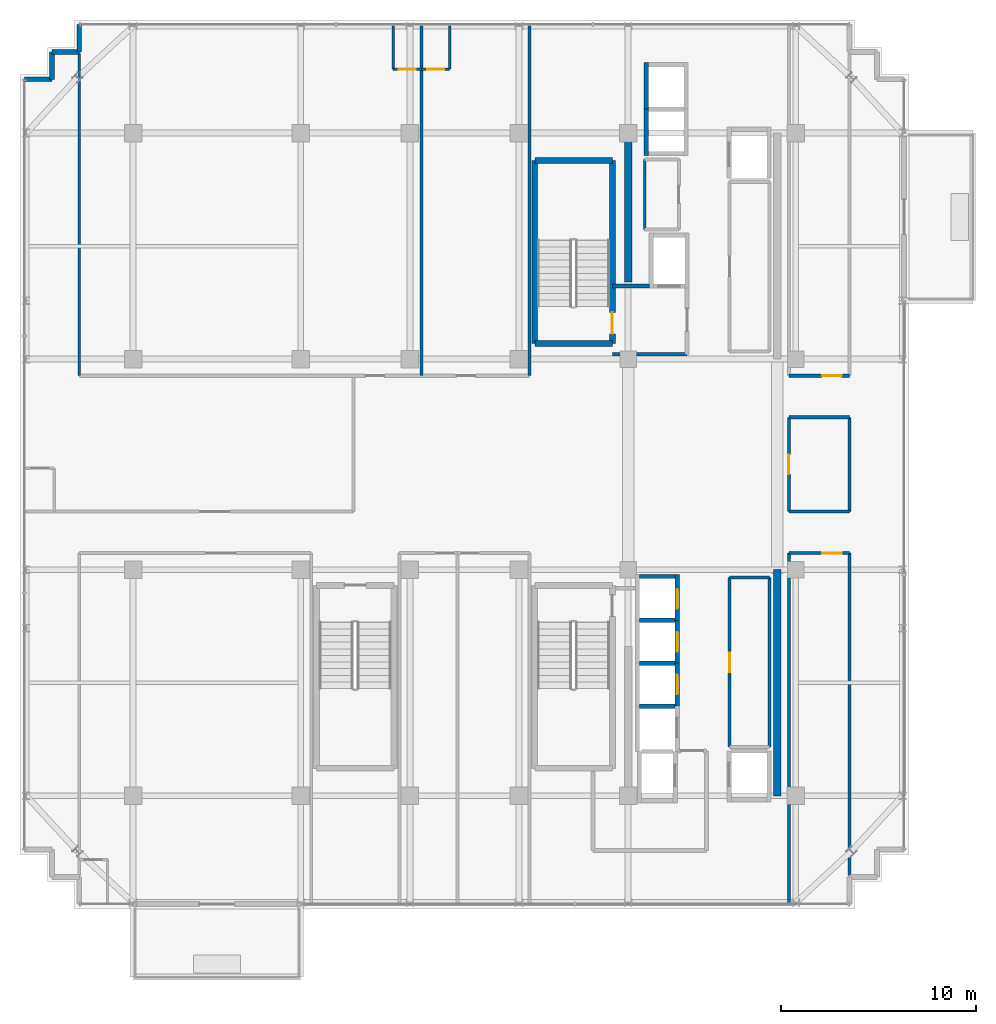
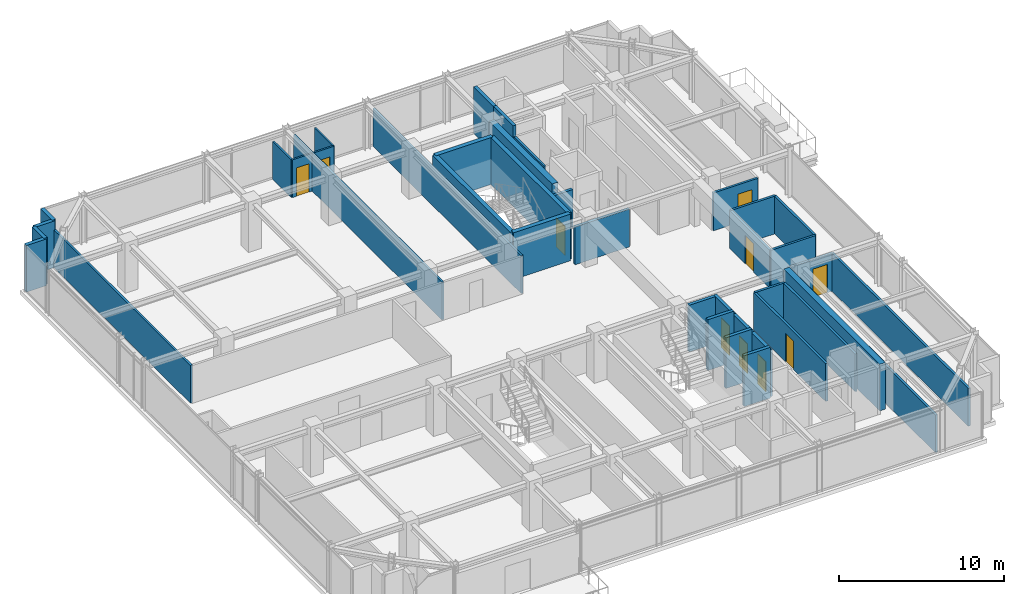
# One storey, part 28 of 32: 40 walls, 10 doors, 10 openings.
"""IFC4 building model written with IfcOpenShell, lengths in metres."""

from ifc_helpers import new_model, si_unit, direction, frame, frame_2d, origin, place, context, subcontext, project, spatial, rectangle, extrude, source, transform, mapped, material, layer, layer_set, type_object, element, fill, save


model = new_model("IFC4")

# Units and contexts
model_context = context("Model", 3, precision=1e-05, world=origin(), true_north=direction((0.0, 1.0)))
body_context = subcontext(model_context, "Body", "Model", "MODEL_VIEW")
ifc_project = project(units=[si_unit("LENGTHUNIT", "METRE"), si_unit("AREAUNIT", "SQUARE_METRE"), si_unit("VOLUMEUNIT", "CUBIC_METRE"), si_unit("PLANEANGLEUNIT", "RADIAN"), si_unit("MASSUNIT", "GRAM", prefix="KILO")], contexts=[model_context])

# Site, building, storey
site_placement = place(None, origin())
site = spatial("IfcSite", under=ifc_project, at=site_placement, CompositionType="ELEMENT")
building_placement = place(site_placement, origin())
building = spatial("IfcBuilding", under=site, at=building_placement, Name="Nahalor Promenade Grand Hotel", CompositionType="ELEMENT")
storey_placement = place(building_placement, frame((0.0, 0.0, 285.050048828125)))
storey = spatial("IfcBuildingStorey", under=building, at=storey_placement, Name="L73", CompositionType="ELEMENT", Elevation=285.050048828125)

# Walls
ifc_material_1 = material(Name="Concrete B-50 (C40/50)", Category="concrete")
ifc_layer_1 = layer(ifc_material_1, 0.39990234375)
ifc_layer_set_1 = layer_set([ifc_layer_1], Name="Concrete B-50 (C40/50)")
wall_type_1 = type_object("IfcWallType", Name="Wall-CoreShear-400", PredefinedType="SHEAR", material=ifc_layer_set_1)
shared_shape_1 = source(origin(), body_context, "Body", "SweptSolid", [
    extrude(rectangle(XDim=7.64990234375, YDim=0.39990234375, at=frame_2d((3.824951171875, 0.0))), origin(), (0.0, 0.0, 1.0), 3.449951171875),
])
wall_1_placement = place(storey_placement, frame((8.39990234375, 9.35009765625, 0.0), z_axis=(0.0, 0.0, 1.0), x_axis=(0.0, 1.0, 0.0)))
element("IfcWall", 1, at=wall_1_placement, inside=storey, type_object=wall_type_1, Name="CWALL-L73-NW", PredefinedType="SHEAR", context=body_context, shape_type="MappedRepresentation", body=[
    mapped(shared_shape_1, transform((0.0, 0.0, 0.0), scale=1.0)),
])
shared_shape_2 = source(origin(), body_context, "Body", "SweptSolid", [
    extrude(rectangle(XDim=11.60009765625, YDim=0.39990234375, at=frame_2d((5.800048828125, 0.0))), origin(), (0.0, 0.0, 1.0), 3.449951171875),
])
wall_2_placement = place(storey_placement, frame((16.050048828125, -17.0, 0.0), z_axis=(0.0, 0.0, 1.0), x_axis=(0.0, 1.0, 0.0)))
element("IfcWall", 2, at=wall_2_placement, inside=storey, type_object=wall_type_1, Name="CWALL-L73-SE", PredefinedType="SHEAR", context=body_context, shape_type="MappedRepresentation", body=[
    mapped(shared_shape_2, transform((0.0, 0.0, 0.0), scale=1.0)),
])
ifc_layer_2 = layer(ifc_material_1, 0.300048828125)
ifc_layer_set_2 = layer_set([ifc_layer_2], Name="Concrete B-50 (C40/50)")
wall_type_2 = type_object("IfcWallType", Name="Wall-ShaftShear-300", PredefinedType="SHEAR", material=ifc_layer_set_2)
shared_shape_3 = source(origin(), body_context, "Body", "SweptSolid", [
    extrude(rectangle(XDim=3.97998046875, YDim=0.300048828125, at=frame_2d((1.989990234375, 0.0))), origin(), (0.0, 0.0, 1.0), 3.449951171875),
])
for number, where, z_axis, x_axis, name in (
    (3, (3.610107421875, 6.2099609375, 0.0), (0.0, 0.0, 1.0), (1.0, 0.0, 0.0), "L73 Exit Stair ST1 Shaft Wall S"),
    (4, (3.610107421875, 15.590087890625, 0.0), (0.0, 0.0, 1.0), (1.0, 0.0, 0.0), "L73 Exit Stair ST1 Shaft Wall N"),
):
    element("IfcWall", number, at=place(storey_placement, frame(where, z_axis=z_axis, x_axis=x_axis)), inside=storey, type_object=wall_type_2, Name=name, PredefinedType="SHEAR", context=body_context, shape_type="MappedRepresentation", body=[
        mapped(shared_shape_3, transform((0.0, 0.0, 0.0), scale=1.0)),
    ])
shared_shape_4 = source(origin(), body_context, "Body", "SweptSolid", [
    extrude(rectangle(XDim=9.380126953125, YDim=0.300048828125, at=frame_2d((4.68994140625, 0.0))), origin(), (0.0, 0.0, 1.0), 3.449951171875),
])
wall_3_placement = place(storey_placement, frame((3.610107421875, 6.2099609375, 0.0), z_axis=(0.0, 0.0, 1.0), x_axis=(0.0, 1.0, 0.0)))
element("IfcWall", 5, at=wall_3_placement, inside=storey, type_object=wall_type_2, Name="L73 Exit Stair ST1 Shaft Wall W", PredefinedType="SHEAR", context=body_context, shape_type="MappedRepresentation", body=[
    mapped(shared_shape_4, transform((0.0, 0.0, 0.0), scale=1.0)),
])

# Wall, opening, door
wall_4_placement = place(storey_placement, frame((7.590087890625, 6.2099609375, 0.0), z_axis=(0.0, 0.0, 1.0), x_axis=(0.0, 1.0, 0.0)))
wall_4 = element("IfcWall", 6, at=wall_4_placement, inside=storey, type_object=wall_type_2, Name="L73 Exit Stair ST1 Shaft Wall E", PredefinedType="SHEAR", context=body_context, shape_type="MappedRepresentation", body=[
    mapped(shared_shape_4, transform((0.0, 0.0, 0.0), scale=1.0)),
])
opening_1_placement = place(wall_4_placement, frame((0.489990234375, 0.0, 0.0)))
opening_1 = element("IfcOpeningElement", 7, at=opening_1_placement, cuts=wall_4, Name="Opening D-ST1", PredefinedType="OPENING", context=body_context, shape_type="SweptSolid", body=[
    extrude(rectangle(XDim=1.10009765625, YDim=2.14990234375, at=frame_2d((0.550048828125, 1.074951171875))), frame((0.0, 0.159912109375, 0.0), z_axis=(0.0, -1.0, 0.0), x_axis=(1.0, 0.0, 0.0)), (0.0, 0.0, 1.0), 0.320068359375),
])
ifc_material_2 = material(Name="Steel S355JR", Category="steel")
door_type_1 = type_object("IfcDoorType", Name="Door-StairFire-1100", OperationType="NOTDEFINED", PredefinedType="DOOR", material=ifc_material_2)
shared_shape_5 = source(origin(), body_context, "Body", "SweptSolid", [
    extrude(rectangle(XDim=1.10009765625, YDim=2.14990234375, at=frame_2d((0.550048828125, 1.074951171875))), frame((0.0, 0.02490234375, 0.0), z_axis=(0.0, -1.0, 0.0), x_axis=(1.0, 0.0, 0.0)), (0.0, 0.0, 1.0), 0.050048828125),
])
door_1_placement = place(opening_1_placement, origin())
door_1 = element("IfcDoor", 8, at=door_1_placement, inside=storey, type_object=door_type_1, Name="DR-STAIR-ST1-L73", OperationType="SINGLE_SWING_RIGHT", OverallHeight=2.14990234375, OverallWidth=1.10009765625, PredefinedType="DOOR", context=body_context, shape_type="MappedRepresentation", body=[
    mapped(shared_shape_5, transform((0.0, 0.0, 0.0), scale=1.0)),
])
fill(opening_1, door_1)

ifc_layer_3 = layer(ifc_material_1, 0.219970703125)
ifc_layer_set_3 = layer_set([ifc_layer_3], Name="Concrete B-50 (C40/50)")
wall_type_3 = type_object("IfcWallType", Name="Wall-LiftShaft-220", PredefinedType="SHEAR", material=ifc_layer_set_3)
shared_shape_6 = source(origin(), body_context, "Body", "SweptSolid", [
    extrude(rectangle(XDim=2.360107421875, YDim=0.219970703125, at=frame_2d((1.18017578125, 0.0))), origin(), (0.0, 0.0, 1.0), 3.449951171875),
])
wall_5_placement = place(storey_placement, frame((10.919921875, -8.0, 0.0), z_axis=(0.0, 0.0, 1.0), x_axis=(0.0, 1.0, 0.0)))
wall_5 = element("IfcWall", 9, at=wall_5_placement, inside=storey, type_object=wall_type_3, Name="L73 Lift PL9 Hoistway Wall E", PredefinedType="SHEAR", context=body_context, shape_type="MappedRepresentation", body=[
    mapped(shared_shape_6, transform((0.0, 0.0, 0.0), scale=1.0)),
])
opening_2_placement = place(wall_5_placement, frame((0.60009765625, 0.0, 0.0)))
opening_2 = element("IfcOpeningElement", 10, at=opening_2_placement, cuts=wall_5, Name="Opening LD-01", PredefinedType="OPENING", context=body_context, shape_type="SweptSolid", body=[
    extrude(rectangle(XDim=1.0, YDim=2.199951171875, at=frame_2d((0.5, 1.10009765625))), frame((0.0, 0.119873046875, 0.0), z_axis=(0.0, -1.0, 0.0), x_axis=(1.0, 0.0, 0.0)), (0.0, 0.0, 1.0), 0.239990234375),
])
door_type_2 = type_object("IfcDoorType", Name="Door-LiftLanding-1000", OperationType="DOUBLE_DOOR_SLIDING", PredefinedType="DOOR", material=ifc_material_2)
shared_shape_7 = source(origin(), body_context, "Body", "SweptSolid", [
    extrude(rectangle(XDim=1.0, YDim=2.199951171875, at=frame_2d((0.5, 1.10009765625))), frame((0.0, 0.02490234375, 0.0), z_axis=(0.0, -1.0, 0.0), x_axis=(1.0, 0.0, 0.0)), (0.0, 0.0, 1.0), 0.050048828125),
])
door_2_placement = place(opening_2_placement, frame((1.0, 0.0, 0.0), z_axis=(0.0, 0.0, 1.0), x_axis=(-1.0, 0.0, 0.0)))
door_2 = element("IfcDoor", 11, at=door_2_placement, inside=storey, type_object=door_type_2, Name="DR-LIFT-PL9-L73", OperationType="DOUBLE_DOOR_SLIDING", OverallHeight=2.199951171875, OverallWidth=1.0, PredefinedType="DOOR", context=body_context, shape_type="MappedRepresentation", body=[
    mapped(shared_shape_7, transform((0.0, 0.0, 0.0), scale=1.0)),
])
fill(opening_2, door_2)

# Wall
shared_shape_8 = source(origin(), body_context, "Body", "SweptSolid", [
    extrude(rectangle(XDim=1.820068359375, YDim=0.219970703125, at=frame_2d((0.91015625, 0.0))), origin(), (0.0, 0.0, 1.0), 3.449951171875),
])
wall_6_placement = place(storey_placement, frame((8.989990234375, -5.75, 0.0), z_axis=(0.0, 0.0, 1.0), x_axis=(1.0, 0.0, 0.0)))
element("IfcWall", 12, at=wall_6_placement, inside=storey, type_object=wall_type_3, Name="L73 Lift PL9 Hoistway Wall N", PredefinedType="SHEAR", context=body_context, shape_type="MappedRepresentation", body=[
    mapped(shared_shape_8, transform((0.0, 0.0, 0.0), scale=1.0)),
])

# Wall, opening, door
shared_shape_9 = source(origin(), body_context, "Body", "SweptSolid", [
    extrude(rectangle(XDim=2.199951171875, YDim=0.219970703125, at=frame_2d((1.10009765625, 0.0))), origin(), (0.0, 0.0, 1.0), 3.449951171875),
])
wall_7_placement = place(storey_placement, frame((10.919921875, -10.199951171875, 0.0), z_axis=(0.0, 0.0, 1.0), x_axis=(0.0, 1.0, 0.0)))
wall_7 = element("IfcWall", 13, at=wall_7_placement, inside=storey, type_object=wall_type_3, Name="L73 Lift PL10 Hoistway Wall E", PredefinedType="SHEAR", context=body_context, shape_type="MappedRepresentation", body=[
    mapped(shared_shape_9, transform((0.0, 0.0, 0.0), scale=1.0)),
])
opening_3_placement = place(wall_7_placement, frame((0.60009765625, 0.0, 0.0)))
opening_3 = element("IfcOpeningElement", 14, at=opening_3_placement, cuts=wall_7, Name="Opening LD-01", PredefinedType="OPENING", context=body_context, shape_type="SweptSolid", body=[
    extrude(rectangle(XDim=1.0, YDim=2.199951171875, at=frame_2d((0.5, 1.10009765625))), frame((0.0, 0.119873046875, 0.0), z_axis=(0.0, -1.0, 0.0), x_axis=(1.0, 0.0, 0.0)), (0.0, 0.0, 1.0), 0.239990234375),
])
door_3_placement = place(opening_3_placement, frame((1.0, 0.0, 0.0), z_axis=(0.0, 0.0, 1.0), x_axis=(-1.0, 0.0, 0.0)))
door_3 = element("IfcDoor", 15, at=door_3_placement, inside=storey, type_object=door_type_2, Name="DR-LIFT-PL10-L73", OperationType="DOUBLE_DOOR_SLIDING", OverallHeight=2.199951171875, OverallWidth=1.0, PredefinedType="DOOR", context=body_context, shape_type="MappedRepresentation", body=[
    mapped(shared_shape_7, transform((0.0, 0.0, 0.0), scale=1.0)),
])
fill(opening_3, door_3)

wall_8_placement = place(storey_placement, frame((10.919921875, -12.39990234375, 0.0), z_axis=(0.0, 0.0, 1.0), x_axis=(0.0, 1.0, 0.0)))
wall_8 = element("IfcWall", 16, at=wall_8_placement, inside=storey, type_object=wall_type_3, Name="L73 Lift PL11 Hoistway Wall E", PredefinedType="SHEAR", context=body_context, shape_type="MappedRepresentation", body=[
    mapped(shared_shape_9, transform((0.0, 0.0, 0.0), scale=1.0)),
])
opening_4_placement = place(wall_8_placement, frame((0.60009765625, 0.0, 0.0)))
opening_4 = element("IfcOpeningElement", 17, at=opening_4_placement, cuts=wall_8, Name="Opening LD-01", PredefinedType="OPENING", context=body_context, shape_type="SweptSolid", body=[
    extrude(rectangle(XDim=1.0, YDim=2.199951171875, at=frame_2d((0.5, 1.10009765625))), frame((0.0, 0.119873046875, 0.0), z_axis=(0.0, -1.0, 0.0), x_axis=(1.0, 0.0, 0.0)), (0.0, 0.0, 1.0), 0.239990234375),
])
door_4_placement = place(opening_4_placement, frame((1.0, 0.0, 0.0), z_axis=(0.0, 0.0, 1.0), x_axis=(-1.0, 0.0, 0.0)))
door_4 = element("IfcDoor", 18, at=door_4_placement, inside=storey, type_object=door_type_2, Name="DR-LIFT-PL11-L73", OperationType="DOUBLE_DOOR_SLIDING", OverallHeight=2.199951171875, OverallWidth=1.0, PredefinedType="DOOR", context=body_context, shape_type="MappedRepresentation", body=[
    mapped(shared_shape_7, transform((0.0, 0.0, 0.0), scale=1.0)),
])
fill(opening_4, door_4)

# Walls
shared_shape_10 = source(origin(), body_context, "Body", "SweptSolid", [
    extrude(rectangle(XDim=1.820068359375, YDim=0.219970703125, at=frame_2d((0.91015625, 0.0))), origin(), (0.0, 0.0, 1.0), 3.75),
])
for number, where, z_axis, x_axis, name in (
    (19, (8.989990234375, -8.0, 0.0), (0.0, 0.0, 1.0), (1.0, 0.0, 0.0), "L73 Lift PL10 Hoistway Wall N"),
    (20, (8.989990234375, -10.199951171875, 0.0), (0.0, 0.0, 1.0), (1.0, 0.0, 0.0), "L73 Lift PL11 Hoistway Wall N"),
    (21, (8.989990234375, -12.39990234375, 0.0), (0.0, 0.0, 1.0), (1.0, 0.0, 0.0), "L73 Lift PL12 Hoistway Wall N"),
):
    element("IfcWall", number, at=place(storey_placement, frame(where, z_axis=z_axis, x_axis=x_axis)), inside=storey, type_object=wall_type_3, Name=name, PredefinedType="SHEAR", context=body_context, shape_type="MappedRepresentation", body=[
        mapped(shared_shape_10, transform((0.0, 0.0, 0.0), scale=1.0)),
    ])
shared_shape_11 = source(origin(), body_context, "Body", "SweptSolid", [
    extrude(rectangle(XDim=2.385009765625, YDim=0.219970703125, at=frame_2d((1.1923828125, 0.0))), origin(), (0.0, 0.0, 1.0), 3.449951171875),
])
for number, where, z_axis, x_axis, name in (
    (22, (9.330078125, 15.840087890625, 0.0), (0.0, 0.0, 1.0), (0.0, 1.0, 0.0), "L73 Lift OB1 Hoistway Wall W"),
    (23, (9.330078125, 18.22509765625, 0.0), (0.0, 0.0, 1.0), (0.0, 1.0, 0.0), "L73 Lift OB2 Hoistway Wall W"),
):
    element("IfcWall", number, at=place(storey_placement, frame(where, z_axis=z_axis, x_axis=x_axis)), inside=storey, type_object=wall_type_3, Name=name, PredefinedType="SHEAR", context=body_context, shape_type="MappedRepresentation", body=[
        mapped(shared_shape_11, transform((0.0, 0.0, 0.0), scale=1.0)),
    ])
ifc_material_3 = material(Name="Concrete B-40 (C32/40)", Category="concrete")
ifc_layer_4 = layer(ifc_material_3, 0.25)
ifc_layer_set_4 = layer_set([ifc_layer_4], Name="Concrete B-40 (C32/40)")
wall_type_4 = type_object("IfcWallType", Name="Wall-BronzePier-250", PredefinedType="STANDARD", material=ifc_layer_set_4)
shared_shape_12 = source(origin(), body_context, "Body", "SweptSolid", [
    extrude(rectangle(XDim=1.400146484375, YDim=0.25, at=frame_2d((0.7001953125, 0.0))), origin(), (0.0, 0.0, 1.0), 3.449951171875),
])
for number, where, z_axis, x_axis, name in (
    (24, (-19.760009765625, 21.159912109375, 0.0), (0.0, 0.0, 1.0), (0.0, 1.0, 0.0), "W-L73-SR-09"),
    (25, (-22.56005859375, 19.760009765625, 0.0), (0.0, 0.0, 1.0), (1.0, 0.0, 0.0), "W-L73-SR-12"),
):
    element("IfcWall", number, at=place(storey_placement, frame(where, z_axis=z_axis, x_axis=x_axis)), inside=storey, type_object=wall_type_4, Name=name, PredefinedType="STANDARD", context=body_context, shape_type="MappedRepresentation", body=[
        mapped(shared_shape_12, transform((0.0, 0.0, 0.0), scale=1.0)),
    ])
shared_shape_13 = source(origin(), body_context, "Body", "SweptSolid", [
    extrude(rectangle(XDim=1.39990234375, YDim=0.25, at=frame_2d((0.699951171875, 0.0))), origin(), (0.0, 0.0, 1.0), 3.449951171875),
])
for number, where, z_axis, x_axis, name in (
    (26, (-21.159912109375, 21.159912109375, 0.0), (0.0, 0.0, 1.0), (1.0, 0.0, 0.0), "W-L73-SR-10"),
    (27, (-21.159912109375, 19.760009765625, 0.0), (0.0, 0.0, 1.0), (0.0, 1.0, 0.0), "W-L73-SR-11"),
):
    element("IfcWall", number, at=place(storey_placement, frame(where, z_axis=z_axis, x_axis=x_axis)), inside=storey, type_object=wall_type_4, Name=name, PredefinedType="STANDARD", context=body_context, shape_type="MappedRepresentation", body=[
        mapped(shared_shape_13, transform((0.0, 0.0, 0.0), scale=1.0)),
    ])
ifc_layer_5 = layer(ifc_material_3, 0.199951171875)
ifc_layer_set_5 = layer_set([ifc_layer_5], Name="Concrete B-40 (C32/40)")
wall_type_5 = type_object("IfcWallType", Name="Wall-PartFire-200", PredefinedType="PARTITIONING", material=ifc_layer_set_5)
shared_shape_14 = source(origin(), body_context, "Body", "SweptSolid", [
    extrude(rectangle(XDim=3.81982421875, YDim=0.199951171875, at=frame_2d((1.909912109375, 0.0))), origin(), (0.0, 0.0, 1.0), 2.7900390625),
])
wall_9_placement = place(storey_placement, frame((7.60009765625, 5.64990234375, 0.0), z_axis=(0.0, 0.0, 1.0), x_axis=(1.0, 0.0, 0.0)))
element("IfcWall", 28, at=wall_9_placement, inside=storey, type_object=wall_type_5, Name="W-L73-FF1-S", PredefinedType="PARTITIONING", context=body_context, shape_type="MappedRepresentation", body=[
    mapped(shared_shape_14, transform((0.0, 0.0, 0.0), scale=1.0)),
])
shared_shape_15 = source(origin(), body_context, "Body", "SweptSolid", [
    extrude(rectangle(XDim=1.89990234375, YDim=0.199951171875, at=frame_2d((0.949951171875, 0.0))), origin(), (0.0, 0.0, 1.0), 2.7900390625),
])
wall_10_placement = place(storey_placement, frame((7.60009765625, 9.14990234375, 0.0), z_axis=(0.0, 0.0, 1.0), x_axis=(1.0, 0.0, 0.0)))
element("IfcWall", 29, at=wall_10_placement, inside=storey, type_object=wall_type_5, Name="W-L73-FF1-N", PredefinedType="PARTITIONING", context=body_context, shape_type="MappedRepresentation", body=[
    mapped(shared_shape_15, transform((0.0, 0.0, 0.0), scale=1.0)),
])
ifc_material_4 = material(Name="Acoustic Mineral Gypsum", Category="gypsum")
ifc_layer_6 = layer(ifc_material_4, 0.159912109375)
ifc_layer_set_6 = layer_set([ifc_layer_6], Name="Acoustic Mineral Gypsum")
wall_type_6 = type_object("IfcWallType", Name="Wall-PartCorridor-160", PredefinedType="PARTITIONING", material=ifc_layer_set_6)
shared_shape_16 = source(origin(), body_context, "Body", "SweptSolid", [
    extrude(rectangle(XDim=2.0498046875, YDim=0.159912109375, at=frame_2d((1.02490234375, 0.0))), origin(), (0.0, 0.0, 1.0), 2.7900390625),
])
wall_11_placement = place(storey_placement, frame((13.60009765625, -5.800048828125, 0.0), z_axis=(0.0, 0.0, 1.0), x_axis=(1.0, 0.0, 0.0)))
element("IfcWall", 30, at=wall_11_placement, inside=storey, type_object=wall_type_6, Name="W-L73-FRB2-N", PredefinedType="PARTITIONING", context=body_context, shape_type="MappedRepresentation", body=[
    mapped(shared_shape_16, transform((0.0, 0.0, 0.0), scale=1.0)),
])

# Wall, opening, door
shared_shape_17 = source(origin(), body_context, "Body", "SweptSolid", [
    extrude(rectangle(XDim=3.110107421875, YDim=0.159912109375, at=frame_2d((1.55517578125, 0.0))), origin(), (0.0, 0.0, 1.0), 2.7900390625),
])
wall_12_placement = place(storey_placement, frame((16.64990234375, 4.550048828125, 0.0), z_axis=(0.0, 0.0, 1.0), x_axis=(1.0, 0.0, 0.0)))
wall_12 = element("IfcWall", 31, at=wall_12_placement, inside=storey, type_object=wall_type_6, Name="W-L73-ENE-S", PredefinedType="PARTITIONING", context=body_context, shape_type="MappedRepresentation", body=[
    mapped(shared_shape_17, transform((0.0, 0.0, 0.0), scale=1.0)),
])
opening_5_placement = place(wall_12_placement, frame((1.700927734375, 0.0, 0.0)))
opening_5 = element("IfcOpeningElement", 32, at=opening_5_placement, cuts=wall_12, Name="Opening D-04", PredefinedType="OPENING", context=body_context, shape_type="SweptSolid", body=[
    extrude(rectangle(XDim=1.0, YDim=2.10009765625, at=frame_2d((0.5, 1.050048828125))), frame((0.0, 0.08984375, 0.0), z_axis=(0.0, -1.0, 0.0), x_axis=(1.0, 0.0, 0.0)), (0.0, 0.0, 1.0), 0.179931640625),
])
door_type_3 = type_object("IfcDoorType", Name="Door-ServiceFire-1000", OperationType="NOTDEFINED", PredefinedType="DOOR", material=ifc_material_2)
shared_shape_18 = source(origin(), body_context, "Body", "SweptSolid", [
    extrude(rectangle(XDim=1.0, YDim=2.10009765625, at=frame_2d((0.5, 1.050048828125))), frame((0.0, 0.02490234375, 0.0), z_axis=(0.0, -1.0, 0.0), x_axis=(1.0, 0.0, 0.0)), (0.0, 0.0, 1.0), 0.050048828125),
])
door_5_placement = place(opening_5_placement, origin())
door_5 = element("IfcDoor", 33, at=door_5_placement, inside=storey, type_object=door_type_3, Name="DR-L73-ENE", OperationType="SINGLE_SWING_RIGHT", OverallHeight=2.10009765625, OverallWidth=1.0, PredefinedType="DOOR", context=body_context, shape_type="MappedRepresentation", body=[
    mapped(shared_shape_18, transform((0.0, 0.0, 0.0), scale=1.0)),
])
fill(opening_5, door_5)

wall_13_placement = place(storey_placement, frame((16.64990234375, -4.550048828125, 0.0), z_axis=(0.0, 0.0, 1.0), x_axis=(1.0, 0.0, 0.0)))
wall_13 = element("IfcWall", 34, at=wall_13_placement, inside=storey, type_object=wall_type_6, Name="W-L73-ESE-N", PredefinedType="PARTITIONING", context=body_context, shape_type="MappedRepresentation", body=[
    mapped(shared_shape_17, transform((0.0, 0.0, 0.0), scale=1.0)),
])
opening_6_placement = place(wall_13_placement, frame((1.700927734375, 0.0, 0.0)))
opening_6 = element("IfcOpeningElement", 35, at=opening_6_placement, cuts=wall_13, Name="Opening D-04", PredefinedType="OPENING", context=body_context, shape_type="SweptSolid", body=[
    extrude(rectangle(XDim=1.0, YDim=2.10009765625, at=frame_2d((0.5, 1.050048828125))), frame((0.0, 0.08984375, 0.0), z_axis=(0.0, -1.0, 0.0), x_axis=(1.0, 0.0, 0.0)), (0.0, 0.0, 1.0), 0.179931640625),
])
door_6_placement = place(opening_6_placement, frame((1.0, 0.0, 0.0), z_axis=(0.0, 0.0, 1.0), x_axis=(-1.0, 0.0, 0.0)))
door_6 = element("IfcDoor", 36, at=door_6_placement, inside=storey, type_object=door_type_3, Name="DR-L73-ESE", OperationType="SINGLE_SWING_LEFT", OverallHeight=2.10009765625, OverallWidth=1.0, PredefinedType="DOOR", context=body_context, shape_type="MappedRepresentation", body=[
    mapped(shared_shape_18, transform((0.0, 0.0, 0.0), scale=1.0)),
])
fill(opening_6, door_6)

# Walls
for number, where, z_axis, x_axis, name in (
    (37, (16.64990234375, -2.419921875, 0.0), (0.0, 0.0, 1.0), (1.0, 0.0, 0.0), "W-L73-ECW-S"),
    (38, (16.64990234375, 2.419921875, 0.0), (0.0, 0.0, 1.0), (1.0, 0.0, 0.0), "W-L73-ECW-N"),
):
    element("IfcWall", number, at=place(storey_placement, frame(where, z_axis=z_axis, x_axis=x_axis)), inside=storey, type_object=wall_type_6, Name=name, PredefinedType="PARTITIONING", context=body_context, shape_type="MappedRepresentation", body=[
        mapped(shared_shape_17, transform((0.0, 0.0, 0.0), scale=1.0)),
    ])
shared_shape_19 = source(origin(), body_context, "Body", "SweptSolid", [
    extrude(rectangle(XDim=17.949951171875, YDim=0.159912109375, at=frame_2d((8.97509765625, 0.0))), origin(), (0.0, 0.0, 1.0), 2.7900390625),
])
wall_14_placement = place(storey_placement, frame((16.64990234375, -22.5, 0.0), z_axis=(0.0, 0.0, 1.0), x_axis=(0.0, 1.0, 0.0)))
element("IfcWall", 39, at=wall_14_placement, inside=storey, type_object=wall_type_6, Name="W-L73-ESE-W", PredefinedType="PARTITIONING", context=body_context, shape_type="MappedRepresentation", body=[
    mapped(shared_shape_19, transform((0.0, 0.0, 0.0), scale=1.0)),
])
shared_shape_20 = source(origin(), body_context, "Body", "SweptSolid", [
    extrude(rectangle(XDim=16.530029296875, YDim=0.159912109375, at=frame_2d((8.26513671875, 0.0))), origin(), (0.0, 0.0, 1.0), 2.7900390625),
])
wall_15_placement = place(storey_placement, frame((19.760009765625, -21.080078125, 0.0), z_axis=(0.0, 0.0, 1.0), x_axis=(0.0, 1.0, 0.0)))
element("IfcWall", 40, at=wall_15_placement, inside=storey, type_object=wall_type_6, Name="W-L73-ESE-E", PredefinedType="PARTITIONING", context=body_context, shape_type="MappedRepresentation", body=[
    mapped(shared_shape_20, transform((0.0, 0.0, 0.0), scale=1.0)),
])
ifc_layer_7 = layer(ifc_material_4, 0.139892578125)
ifc_layer_set_7 = layer_set([ifc_layer_7], Name="Acoustic Mineral Gypsum")
wall_type_7 = type_object("IfcWallType", Name="Wall-PartSuite-140", PredefinedType="PARTITIONING", material=ifc_layer_set_7)
shared_shape_21 = source(origin(), body_context, "Body", "SweptSolid", [
    extrude(rectangle(XDim=16.530029296875, YDim=0.139892578125, at=frame_2d((8.26513671875, 0.0))), origin(), (0.0, 0.0, 1.0), 2.7900390625),
])
wall_16_placement = place(storey_placement, frame((-19.760009765625, 4.550048828125, 0.0), z_axis=(0.0, 0.0, 1.0), x_axis=(0.0, 1.0, 0.0)))
element("IfcWall", 41, at=wall_16_placement, inside=storey, type_object=wall_type_7, Name="W-L73-NW-ENDW", PredefinedType="PARTITIONING", context=body_context, shape_type="MappedRepresentation", body=[
    mapped(shared_shape_21, transform((0.0, 0.0, 0.0), scale=1.0)),
])
shared_shape_22 = source(origin(), body_context, "Body", "SweptSolid", [
    extrude(rectangle(XDim=17.949951171875, YDim=0.139892578125, at=frame_2d((8.97509765625, 0.0))), origin(), (0.0, 0.0, 1.0), 2.7900390625),
])
for number, where, z_axis, x_axis, name in (
    (42, (3.340087890625, 4.550048828125, 0.0), (0.0, 0.0, 1.0), (0.0, 1.0, 0.0), "W-L73-NW-ENDE"),
    (43, (-2.2041015625, 4.550048828125, 0.0), (0.0, 0.0, 1.0), (0.0, 1.0, 0.0), "W-L73-NP-1"),
):
    element("IfcWall", number, at=place(storey_placement, frame(where, z_axis=z_axis, x_axis=x_axis)), inside=storey, type_object=wall_type_7, Name=name, PredefinedType="PARTITIONING", context=body_context, shape_type="MappedRepresentation", body=[
        mapped(shared_shape_22, transform((0.0, 0.0, 0.0), scale=1.0)),
    ])

# Wall, opening, door
ifc_layer_8 = layer(ifc_material_4, 0.1201171875)
ifc_layer_set_8 = layer_set([ifc_layer_8], Name="Acoustic Mineral Gypsum")
wall_type_8 = type_object("IfcWallType", Name="Wall-PartBath-120", PredefinedType="PARTITIONING", material=ifc_layer_set_8)
shared_shape_23 = source(origin(), body_context, "Body", "SweptSolid", [
    extrude(rectangle(XDim=1.449951171875, YDim=0.1201171875, at=frame_2d((0.72509765625, 0.0))), origin(), (0.0, 0.0, 1.0), 2.7900390625),
])
wall_17_placement = place(storey_placement, frame((-3.654052734375, 20.280029296875, 0.0), z_axis=(0.0, 0.0, 1.0), x_axis=(1.0, 0.0, 0.0)))
wall_17 = element("IfcWall", 44, at=wall_17_placement, inside=storey, type_object=wall_type_8, Name="W-L73-N1-BH", PredefinedType="PARTITIONING", context=body_context, shape_type="MappedRepresentation", body=[
    mapped(shared_shape_23, transform((0.0, 0.0, 0.0), scale=1.0)),
])
opening_7_placement = place(wall_17_placement, frame((0.284912109375, 0.0, 0.0)))
opening_7 = element("IfcOpeningElement", 45, at=opening_7_placement, cuts=wall_17, Name="Opening D-03", PredefinedType="OPENING", context=body_context, shape_type="SweptSolid", body=[
    extrude(rectangle(XDim=0.8798828125, YDim=2.10009765625, at=frame_2d((0.43994140625, 1.050048828125))), frame((0.0, 0.070068359375, 0.0), z_axis=(0.0, -1.0, 0.0), x_axis=(1.0, 0.0, 0.0)), (0.0, 0.0, 1.0), 0.14013671875),
])
ifc_material_5 = material(Name="Fire-Rated Timber Composite", Category="wood")
door_type_4 = type_object("IfcDoorType", Name="Door-BathSwing-880", OperationType="NOTDEFINED", PredefinedType="DOOR", material=ifc_material_5)
shared_shape_24 = source(origin(), body_context, "Body", "SweptSolid", [
    extrude(rectangle(XDim=0.8798828125, YDim=2.10009765625, at=frame_2d((0.43994140625, 1.050048828125))), frame((0.0, 0.02490234375, 0.0), z_axis=(0.0, -1.0, 0.0), x_axis=(1.0, 0.0, 0.0)), (0.0, 0.0, 1.0), 0.050048828125),
])
door_7_placement = place(opening_7_placement, origin())
door_7 = element("IfcDoor", 46, at=door_7_placement, inside=storey, type_object=door_type_4, Name="DR-L73-N1-BATH", OperationType="SINGLE_SWING_RIGHT", OverallHeight=2.10009765625, OverallWidth=0.8798828125, PredefinedType="DOOR", context=body_context, shape_type="MappedRepresentation", body=[
    mapped(shared_shape_24, transform((0.0, 0.0, 0.0), scale=1.0)),
])
fill(opening_7, door_7)

# Walls
shared_shape_25 = source(origin(), body_context, "Body", "SweptSolid", [
    extrude(rectangle(XDim=2.219970703125, YDim=0.1201171875, at=frame_2d((1.10986328125, 0.0))), origin(), (0.0, 0.0, 1.0), 2.7900390625),
])
for number, where, z_axis, x_axis, name in (
    (47, (-3.654052734375, 20.280029296875, 0.0), (0.0, 0.0, 1.0), (0.0, 1.0, 0.0), "W-L73-N1-BV"),
    (48, (-0.75390625, 20.280029296875, 0.0), (0.0, 0.0, 1.0), (0.0, 1.0, 0.0), "W-L73-N2-BV"),
):
    element("IfcWall", number, at=place(storey_placement, frame(where, z_axis=z_axis, x_axis=x_axis)), inside=storey, type_object=wall_type_8, Name=name, PredefinedType="PARTITIONING", context=body_context, shape_type="MappedRepresentation", body=[
        mapped(shared_shape_25, transform((0.0, 0.0, 0.0), scale=1.0)),
    ])

# Wall, opening, door
shared_shape_26 = source(origin(), body_context, "Body", "SweptSolid", [
    extrude(rectangle(XDim=1.4501953125, YDim=0.1201171875, at=frame_2d((0.72509765625, 0.0))), origin(), (0.0, 0.0, 1.0), 2.7900390625),
])
wall_18_placement = place(storey_placement, frame((-2.2041015625, 20.280029296875, 0.0), z_axis=(0.0, 0.0, 1.0), x_axis=(1.0, 0.0, 0.0)))
wall_18 = element("IfcWall", 49, at=wall_18_placement, inside=storey, type_object=wall_type_8, Name="W-L73-N2-BH", PredefinedType="PARTITIONING", context=body_context, shape_type="MappedRepresentation", body=[
    mapped(shared_shape_26, transform((0.0, 0.0, 0.0), scale=1.0)),
])
opening_8_placement = place(wall_18_placement, frame((0.284912109375, 0.0, 0.0)))
opening_8 = element("IfcOpeningElement", 50, at=opening_8_placement, cuts=wall_18, Name="Opening D-03", PredefinedType="OPENING", context=body_context, shape_type="SweptSolid", body=[
    extrude(rectangle(XDim=0.8798828125, YDim=2.10009765625, at=frame_2d((0.43994140625, 1.050048828125))), frame((0.0, 0.070068359375, 0.0), z_axis=(0.0, -1.0, 0.0), x_axis=(1.0, 0.0, 0.0)), (0.0, 0.0, 1.0), 0.14013671875),
])
door_8_placement = place(opening_8_placement, origin())
door_8 = element("IfcDoor", 51, at=door_8_placement, inside=storey, type_object=door_type_4, Name="DR-L73-N2-BATH", OperationType="SINGLE_SWING_RIGHT", OverallHeight=2.10009765625, OverallWidth=0.8798828125, PredefinedType="DOOR", context=body_context, shape_type="MappedRepresentation", body=[
    mapped(shared_shape_24, transform((0.0, 0.0, 0.0), scale=1.0)),
])
fill(opening_8, door_8)

shared_shape_27 = source(origin(), body_context, "Body", "SweptSolid", [
    extrude(rectangle(XDim=4.83984375, YDim=0.159912109375, at=frame_2d((2.419921875, 0.0))), origin(), (0.0, 0.0, 1.0), 2.7900390625),
])
wall_19_placement = place(storey_placement, frame((16.64990234375, -2.419921875, 0.0), z_axis=(0.0, 0.0, 1.0), x_axis=(0.0, 1.0, 0.0)))
wall_19 = element("IfcWall", 52, at=wall_19_placement, inside=storey, type_object=wall_type_6, Name="W-L73-ECW-W", PredefinedType="PARTITIONING", context=body_context, shape_type="MappedRepresentation", body=[
    mapped(shared_shape_27, transform((0.0, 0.0, 0.0), scale=1.0)),
])
opening_9_placement = place(wall_19_placement, frame((1.919921875, 0.0, 0.0)))
opening_9 = element("IfcOpeningElement", 53, at=opening_9_placement, cuts=wall_19, Name="Opening D-04", PredefinedType="OPENING", context=body_context, shape_type="SweptSolid", body=[
    extrude(rectangle(XDim=1.0, YDim=2.10009765625, at=frame_2d((0.5, 1.050048828125))), frame((0.0, 0.08984375, 0.0), z_axis=(0.0, -1.0, 0.0), x_axis=(1.0, 0.0, 0.0)), (0.0, 0.0, 1.0), 0.179931640625),
])
door_9_placement = place(opening_9_placement, frame((1.0, 0.0, 0.0), z_axis=(0.0, 0.0, 1.0), x_axis=(-1.0, 0.0, 0.0)))
door_9 = element("IfcDoor", 54, at=door_9_placement, inside=storey, type_object=door_type_3, Name="DR-L73-ECW", OperationType="SINGLE_SWING_RIGHT", OverallHeight=2.10009765625, OverallWidth=1.0, PredefinedType="DOOR", context=body_context, shape_type="MappedRepresentation", body=[
    mapped(shared_shape_18, transform((0.0, 0.0, 0.0), scale=1.0)),
])
fill(opening_9, door_9)

# Walls
wall_20_placement = place(storey_placement, frame((19.760009765625, -2.419921875, 0.0), z_axis=(0.0, 0.0, 1.0), x_axis=(0.0, 1.0, 0.0)))
element("IfcWall", 55, at=wall_20_placement, inside=storey, type_object=wall_type_6, Name="W-L73-ECW-E", PredefinedType="PARTITIONING", context=body_context, shape_type="MappedRepresentation", body=[
    mapped(shared_shape_27, transform((0.0, 0.0, 0.0), scale=1.0)),
])
ifc_layer_9 = layer(ifc_material_4, 0.14990234375)
ifc_layer_set_9 = layer_set([ifc_layer_9], Name="Acoustic Mineral Gypsum")
wall_type_9 = type_object("IfcWallType", Name="Wall-PartService-150", PredefinedType="PARTITIONING", material=ifc_layer_set_9)
shared_shape_28 = source(origin(), body_context, "Body", "SweptSolid", [
    extrude(rectangle(XDim=3.599853515625, YDim=0.14990234375, at=frame_2d((1.7998046875, 0.0))), origin(), (0.0, 0.0, 1.0), 2.7900390625),
])
wall_21_placement = place(storey_placement, frame((9.25, 12.050048828125, 0.0), z_axis=(0.0, 0.0, 1.0), x_axis=(0.0, 1.0, 0.0)))
element("IfcWall", 56, at=wall_21_placement, inside=storey, type_object=wall_type_9, Name="W-L73-CK1A-W", PredefinedType="PARTITIONING", context=body_context, shape_type="MappedRepresentation", body=[
    mapped(shared_shape_28, transform((0.0, 0.0, 0.0), scale=1.0)),
])

# Wall, opening, door
shared_shape_29 = source(origin(), body_context, "Body", "SweptSolid", [
    extrude(rectangle(XDim=8.699951171875, YDim=0.159912109375, at=frame_2d((4.35009765625, 0.0))), origin(), (0.0, 0.0, 1.0), 2.7900390625),
])
wall_22_placement = place(storey_placement, frame((13.60009765625, -14.5, 0.0), z_axis=(0.0, 0.0, 1.0), x_axis=(0.0, 1.0, 0.0)))
wall_22 = element("IfcWall", 57, at=wall_22_placement, inside=storey, type_object=wall_type_6, Name="W-L73-FRB2-W", PredefinedType="PARTITIONING", context=body_context, shape_type="MappedRepresentation", body=[
    mapped(shared_shape_29, transform((0.0, 0.0, 0.0), scale=1.0)),
])
opening_10_placement = place(wall_22_placement, frame((3.85009765625, 0.0, 0.0)))
opening_10 = element("IfcOpeningElement", 58, at=opening_10_placement, cuts=wall_22, Name="Opening D-04", PredefinedType="OPENING", context=body_context, shape_type="SweptSolid", body=[
    extrude(rectangle(XDim=1.0, YDim=2.10009765625, at=frame_2d((0.5, 1.050048828125))), frame((0.0, 0.08984375, 0.0), z_axis=(0.0, -1.0, 0.0), x_axis=(1.0, 0.0, 0.0)), (0.0, 0.0, 1.0), 0.179931640625),
])
door_10_placement = place(opening_10_placement, frame((1.0, 0.0, 0.0), z_axis=(0.0, 0.0, 1.0), x_axis=(-1.0, 0.0, 0.0)))
door_10 = element("IfcDoor", 59, at=door_10_placement, inside=storey, type_object=door_type_3, Name="DR-L73-FRB2", OperationType="SINGLE_SWING_LEFT", OverallHeight=2.10009765625, OverallWidth=1.0, PredefinedType="DOOR", context=body_context, shape_type="MappedRepresentation", body=[
    mapped(shared_shape_18, transform((0.0, 0.0, 0.0), scale=1.0)),
])
fill(opening_10, door_10)

# Wall
wall_23_placement = place(storey_placement, frame((15.64990234375, -14.5, 0.0), z_axis=(0.0, 0.0, 1.0), x_axis=(0.0, 1.0, 0.0)))
element("IfcWall", 60, at=wall_23_placement, inside=storey, type_object=wall_type_6, Name="W-L73-FRB2-E", PredefinedType="PARTITIONING", context=body_context, shape_type="MappedRepresentation", body=[
    mapped(shared_shape_29, transform((0.0, 0.0, 0.0), scale=1.0)),
])

save(model, "model.ifc")
